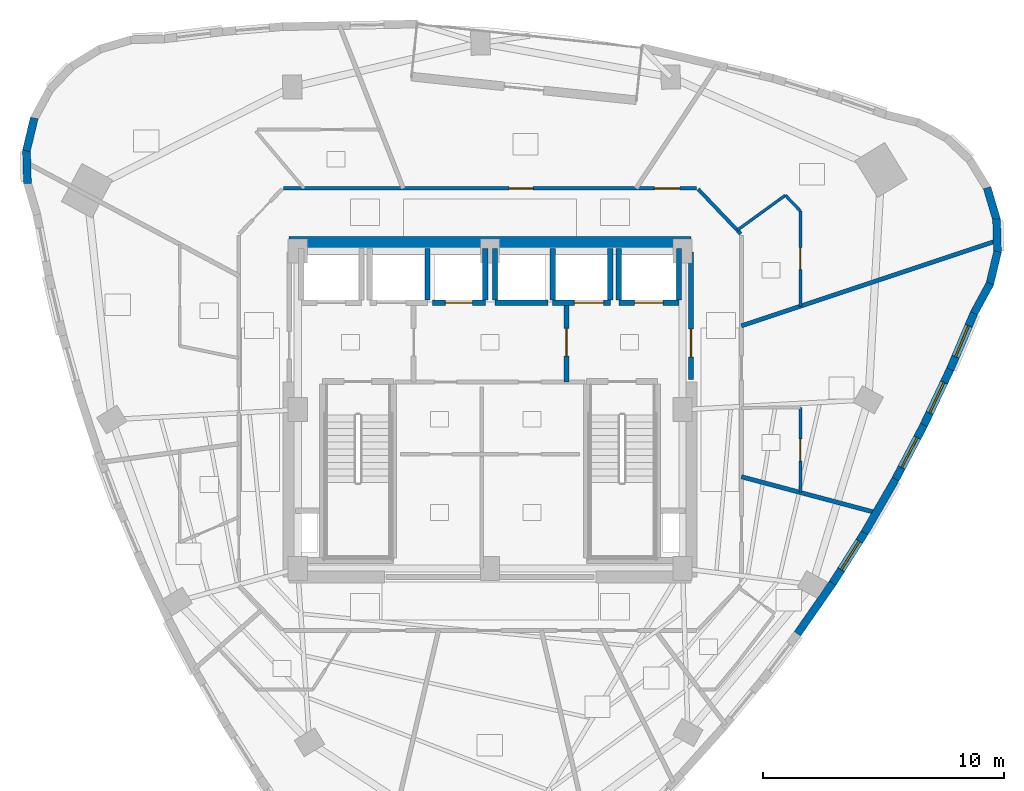
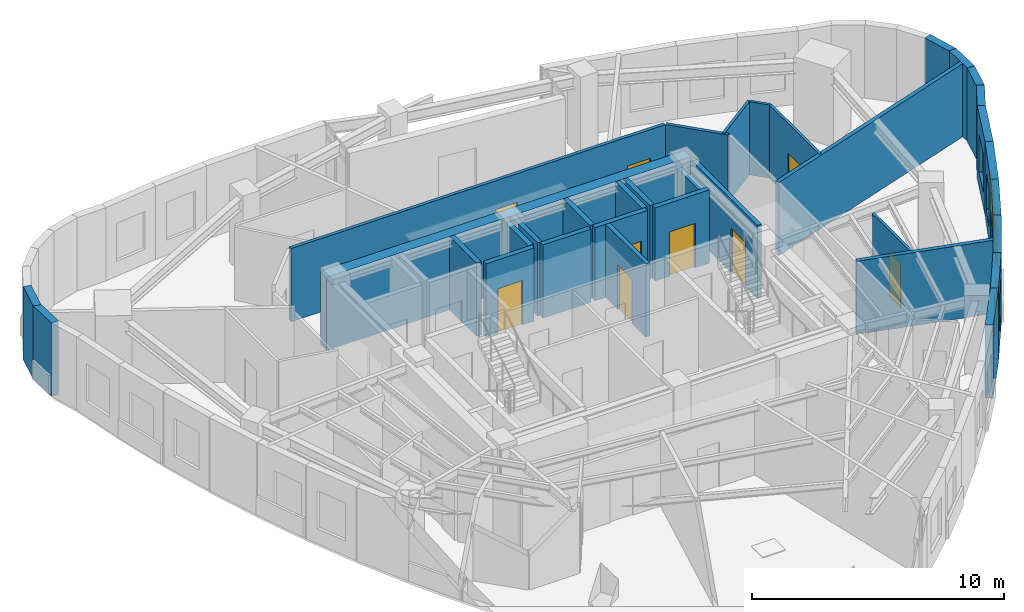
# One storey, part 7 of 11: 34 walls, 9 doors, 4 windows, 13 openings.
"""IFC4 building model written with IfcOpenShell, lengths in metres."""

import ifcopenshell
import ifcopenshell.guid

model = None  # the IFC model being written
_history = None  # IfcOwnerHistory: only IFC2X3 demands one
_inside = {}  # id of a spatial element -> (the spatial element, [elements in it])
_under = {}  # id of a project, library or spatial element -> (it, [spatial elements below it])
_declared = {}  # id of a project -> (the project, [libraries it declares])
_typed = {}  # id of a type object -> (the type object, [elements of that type])
_made_of = {}  # id of a material, layer set ... -> (it, [elements and type objects made of it])


def new_model(schema):
    """Start an empty IFC model of exactly this schema.

    Asked for "IFC4X3", IfcOpenShell would pick the latest addendum, in which some entities
    have other attributes; the version numbers below select the first issue.
    IFC2X3 requires an IfcOwnerHistory on every rooted entity: one is made here for all.
    """
    global model, _history
    if schema == "IFC4X3":
        model = ifcopenshell.file(schema_version=(4, 3, 0, 0))
    else:
        model = ifcopenshell.file(schema=schema)
    _inside.clear()
    _under.clear()
    _declared.clear()
    _typed.clear()
    _made_of.clear()
    _history = None
    if model.schema == "IFC2X3":
        org = make("IfcOrganization", Name="unknown")
        user = make(
            "IfcPersonAndOrganization",
            ThePerson=make("IfcPerson", FamilyName="unknown"),
            TheOrganization=org,
        )
        app = make(
            "IfcApplication",
            ApplicationDeveloper=org,
            Version="unknown",
            ApplicationFullName="unknown",
            ApplicationIdentifier="unknown",
        )
        _history = make(
            "IfcOwnerHistory",
            OwningUser=user,
            OwningApplication=app,
            ChangeAction="ADDED",
            CreationDate=0,
        )
    return model


def make(cls, **values):
    """One entity of the class cls with the attributes given. An attribute that is None is left unset."""
    return model.create_entity(
        cls, **{name: value for name, value in values.items() if value is not None}
    )


def rooted(cls, **values):
    """An entity with a GlobalId (a new one), such as an element, a storey or a relation."""
    return make(cls, GlobalId=ifcopenshell.guid.new(), OwnerHistory=_history, **values)


def si_unit(unit_type, name, prefix=None):
    """IfcSIUnit, for example si_unit("LENGTHUNIT", "METRE", prefix="MILLI")."""
    return make("IfcSIUnit", UnitType=unit_type, Prefix=prefix, Name=name)


def assignment(units):
    """IfcUnitAssignment: the units of a project."""
    return None if units is None else make("IfcUnitAssignment", Units=units)


def point(xyz):
    """IfcCartesianPoint."""
    return None if xyz is None else make("IfcCartesianPoint", Coordinates=xyz)


def direction(xyz):
    """IfcDirection."""
    return None if xyz is None else make("IfcDirection", DirectionRatios=xyz)


def frame(location, z_axis=None, x_axis=None):
    """IfcAxis2Placement3D, a coordinate frame: its origin and axes. An axis left out is left unset."""
    return make(
        "IfcAxis2Placement3D",
        Location=point(location),
        Axis=direction(z_axis),
        RefDirection=direction(x_axis),
    )


def frame_2d(location, x_axis=None):
    """IfcAxis2Placement2D, a coordinate frame in the plane: its origin and x axis."""
    return make(
        "IfcAxis2Placement2D", Location=point(location), RefDirection=direction(x_axis)
    )


def origin():
    """The frame at (0, 0, 0) with its axes left unset."""
    return frame((0.0, 0.0, 0.0))


def place(relative_to, where):
    """IfcLocalPlacement: puts the frame where relative to a parent placement (None: the world)."""
    return make(
        "IfcLocalPlacement", PlacementRelTo=relative_to, RelativePlacement=where
    )


def context(
    kind, dimensions, precision=None, world=None, true_north=None, identifier=None
):
    """IfcGeometricRepresentationContext, for example the 3D "Model" context."""
    return make(
        "IfcGeometricRepresentationContext",
        ContextIdentifier=identifier,
        ContextType=kind,
        CoordinateSpaceDimension=dimensions,
        Precision=precision,
        WorldCoordinateSystem=world,
        TrueNorth=true_north,
    )


def subcontext(parent, identifier, kind, view, scale=None):
    """IfcGeometricRepresentationSubContext, for example "Body" below "Model"."""
    return make(
        "IfcGeometricRepresentationSubContext",
        ContextIdentifier=identifier,
        ContextType=kind,
        ParentContext=parent,
        TargetScale=scale,
        TargetView=view,
    )


def project(units=None, contexts=None):
    """IfcProject with its units and contexts."""
    return rooted(
        "IfcProject",
        Name="project",
        RepresentationContexts=contexts,
        UnitsInContext=assignment(units),
    )


def spatial(cls, under=None, at=None, **own):
    """A site, building, storey or space (cls), placed at a placement, below another one or the project."""
    s = rooted(cls, ObjectPlacement=at, **own)
    if under is not None:
        _under.setdefault(under.id(), (under, []))[1].append(s)
    return s


def profile(cls, at=None, kind="AREA", **sizes):
    """A parametric profile (cls). Its sizes go by their IFC names, for example OverallWidth=200.0."""
    return make(cls, ProfileType=kind, Position=at, **sizes)


def rectangle(**sizes):
    """IfcRectangleProfileDef."""
    return profile("IfcRectangleProfileDef", **sizes)


def extrude(swept, where, along, depth):
    """IfcExtrudedAreaSolid: the profile swept, set in the frame where, extruded along a direction by depth."""
    return make(
        "IfcExtrudedAreaSolid",
        SweptArea=swept,
        Position=where,
        ExtrudedDirection=direction(along),
        Depth=depth,
    )


def shape(context_of_items, identifier, shape_type, items):
    """IfcShapeRepresentation: the items that make up one representation, for example the "Body"."""
    return make(
        "IfcShapeRepresentation",
        ContextOfItems=context_of_items,
        RepresentationIdentifier=identifier,
        RepresentationType=shape_type,
        Items=items,
    )


def material(Name=None, Category=None):
    """IfcMaterial."""
    return make("IfcMaterial", Name=Name, Category=Category)


def layer(
    of_material, thickness, ventilated=None, Name=None, Category=None, Priority=None
):
    """IfcMaterialLayer: one layer of a wall or slab, of a material (None: an air gap)."""
    return make(
        "IfcMaterialLayer",
        Material=of_material,
        LayerThickness=thickness,
        IsVentilated=ventilated,
        Name=Name,
        Category=Category,
        Priority=Priority,
    )


def layer_set(layers, Name=None):
    """IfcMaterialLayerSet."""
    return make("IfcMaterialLayerSet", MaterialLayers=layers, LayerSetName=Name)


def made_of(thing, what):
    """Note that an element or type object is made of a material, layer set ...; save() writes the relation."""
    if what is not None:
        _made_of.setdefault(what.id(), (what, []))[1].append(thing)
    return thing


def type_object(cls, material=None, **own):
    """A type object (cls), such as IfcWallType, which elements share."""
    return made_of(rooted(cls, **own), material)


def element(
    cls,
    number,
    at=None,
    inside=None,
    cuts=None,
    type_object=None,
    material=None,
    context=None,
    identifier="Body",
    shape_type=None,
    held_by="IfcProductDefinitionShape",
    body=None,
    shapes=None,
    **own,
):
    """One element of the class cls, such as IfcWall. Its Tag is "e" and its number.

    at: its placement. inside: the storey or other place that contains it. cuts: it is an
    opening in that element (IfcRelVoidsElement). A single representation is given by context,
    identifier, shape_type and body (its items); several are given by shapes. held_by: the class
    of the entity that holds the representations. save() writes the other relations.
    """
    e = rooted(cls, Tag="e%d" % number, ObjectPlacement=at, **own)
    if body is not None:
        shapes = [shape(context, identifier, shape_type, body)]
    if shapes is not None:
        e.Representation = make(held_by, Representations=shapes)
    if inside is not None:
        _inside.setdefault(inside.id(), (inside, []))[1].append(e)
    if cuts is not None:
        rooted(
            "IfcRelVoidsElement", RelatingBuildingElement=cuts, RelatedOpeningElement=e
        )
    if type_object is not None:
        _typed.setdefault(type_object.id(), (type_object, []))[1].append(e)
    return made_of(e, material)


def fill(opening, filler):
    """IfcRelFillsElement: the door or window that sits in an opening."""
    return rooted(
        "IfcRelFillsElement",
        RelatingOpeningElement=opening,
        RelatedBuildingElement=filler,
    )


def aggregate(whole, parts):
    """IfcRelAggregates: a whole, such as a stair, and the parts it consists of."""
    return rooted("IfcRelAggregates", RelatingObject=whole, RelatedObjects=parts)


def save(model, path):
    """Write the relations noted so far, then the file.

    IfcRelAggregates (storeys below a building ...), IfcRelContainedInSpatialStructure (elements
    in a storey), IfcRelDefinesByType, IfcRelAssociatesMaterial and IfcRelDeclares: one each for
    every whole, place, type object, material and project.
    """
    for whole, parts in _under.values():
        aggregate(whole, parts)
    for where, things in _inside.values():
        rooted(
            "IfcRelContainedInSpatialStructure",
            RelatedElements=things,
            RelatingStructure=where,
        )
    for kind, things in _typed.values():
        rooted("IfcRelDefinesByType", RelatedObjects=things, RelatingType=kind)
    for what, things in _made_of.values():
        rooted("IfcRelAssociatesMaterial", RelatedObjects=things, RelatingMaterial=what)
    for by, libraries in _declared.values():
        rooted("IfcRelDeclares", RelatingContext=by, RelatedDefinitions=libraries)
    model.write(path)


model = new_model("IFC4")

# Units and contexts
model_context = context("Model", 3, precision=1e-05, world=origin(), true_north=direction((0.0, 1.0)))
body_context = subcontext(model_context, "Body", "Model", "MODEL_VIEW")
ifc_project = project(units=[si_unit("LENGTHUNIT", "METRE"), si_unit("AREAUNIT", "SQUARE_METRE"), si_unit("VOLUMEUNIT", "CUBIC_METRE"), si_unit("PLANEANGLEUNIT", "RADIAN"), si_unit("MASSUNIT", "GRAM", prefix="KILO")], contexts=[model_context])

# Site, building, storey
site_placement = place(None, origin())
site = spatial("IfcSite", under=ifc_project, at=site_placement, CompositionType="ELEMENT")
building_placement = place(site_placement, origin())
building = spatial("IfcBuilding", under=site, at=building_placement, Name="Ndelora Gate Hotel", CompositionType="ELEMENT")
storey_placement = place(building_placement, frame((0.0, 0.0, 186.550048828125)))
storey = spatial("IfcBuildingStorey", under=building, at=storey_placement, Name="L46", CompositionType="ELEMENT", Elevation=186.550048828125)

# Walls
ifc_material_1 = material(Name="Acoustic Double-Stud Gypsum Assembly", Category="gypsum")
ifc_layer_1 = layer(ifc_material_1, 0.179931640625)
ifc_layer_set_1 = layer_set([ifc_layer_1], Name="Acoustic Double-Stud Gypsum Assembly")
wall_type_1 = type_object("IfcWallType", Name="WL-ACOUST-180", PredefinedType="PARTITIONING", material=ifc_layer_set_1)
wall_1_placement = place(storey_placement, frame((10.449951171875, -2.788330078125, 0.0), z_axis=(0.0, 0.0, 1.0), x_axis=(0.966187404049, -0.257840842879, 0.0)))
element("IfcWall", 1, at=wall_1_placement, inside=storey, type_object=wall_type_1, Name="L46 Interior Wall IW-3", PredefinedType="PARTITIONING", context=body_context, shape_type="SweptSolid", body=[
    extrude(rectangle(XDim=5.798583984375, YDim=0.179931640625, at=frame_2d((2.8994140625, 0.0))), origin(), (0.0, 0.0, 1.0), 3.550048828125),
])
wall_2_placement = place(storey_placement, frame((10.449951171875, 3.48388671875, 0.0), z_axis=(0.0, 0.0, 1.0), x_axis=(0.94867676156, 0.316247374812, 0.0)))
element("IfcWall", 2, at=wall_2_placement, inside=storey, type_object=wall_type_1, Name="L46 Interior Wall IW-3", PredefinedType="PARTITIONING", context=body_context, shape_type="SweptSolid", body=[
    extrude(rectangle(XDim=11.20556640625, YDim=0.179931640625, at=frame_2d((5.602783203125, 0.0))), origin(), (0.0, 0.0, 1.0), 3.550048828125),
])
ifc_material_2 = material(Name="Clay Brick Masonry", Category="masonry")
ifc_layer_2 = layer(ifc_material_2, 0.330078125)
ifc_layer_set_2 = layer_set([ifc_layer_2], Name="Clay Brick Masonry")
wall_type_2 = type_object("IfcWallType", Name="WL-BRICK-330", PredefinedType="SOLIDWALL", material=ifc_layer_set_2)
for number, where, z_axis, x_axis, name in (
    (3, (-19.277099609375, 10.76318359375, 0.0), (0.0, 0.0, 1.0), (0.233464793771, 0.972365255482, 0.0), "L46 Tower Brick Pier-and-Spandrel Wall TWR-6"),
    (4, (-19.235107421875, 9.405517578125, 0.0), (0.0, 0.0, 1.0), (-0.02619264168, 0.999656913907, 0.0), "L46 Tower Brick Pier-and-Spandrel Wall TWR-7"),
):
    element("IfcWall", number, at=place(storey_placement, frame(where, z_axis=z_axis, x_axis=x_axis)), inside=storey, type_object=wall_type_2, Name=name, PredefinedType="SOLIDWALL", context=body_context, shape_type="SweptSolid", body=[
        extrude(rectangle(XDim=1.407470703125, YDim=0.330078125, at=frame_2d((0.70361328125, 0.0))), origin(), (0.0, 0.0, 1.0), 3.550048828125),
    ])
wall_3_placement = place(storey_placement, frame((14.244140625, -7.208740234375, 0.0), z_axis=(0.0, 0.0, 1.0), x_axis=(-0.5707327312, -0.821135889812, 0.0)))
element("IfcWall", 5, at=wall_3_placement, inside=storey, type_object=wall_type_2, Name="L46 Tower Brick Pier-and-Spandrel Wall TWR-35", PredefinedType="SOLIDWALL", context=body_context, shape_type="SweptSolid", body=[
    extrude(rectangle(XDim=2.566162109375, YDim=0.330078125, at=frame_2d((1.283203125, 0.0))), origin(), (0.0, 0.0, 1.0), 3.550048828125),
])

# Wall, opening, window
wall_4_placement = place(storey_placement, frame((15.59375, -5.079833984375, 0.0), z_axis=(0.0, 0.0, 1.0), x_axis=(-0.535842668183, -0.844317851851, 0.0)))
wall_4 = element("IfcWall", 6, at=wall_4_placement, inside=storey, type_object=wall_type_2, Name="L46 Tower Brick Pier-and-Spandrel Wall TWR-36", PredefinedType="SOLIDWALL", context=body_context, shape_type="SweptSolid", body=[
    extrude(rectangle(XDim=2.570556640625, YDim=0.330078125, at=frame_2d((1.28515625, 0.0))), origin(), (0.0, 0.0, 1.0), 3.550048828125),
])
opening_1_placement = place(wall_4_placement, frame((0.4599609375, 0.0, 0.719970703125)))
opening_1 = element("IfcOpeningElement", 7, at=opening_1_placement, cuts=wall_4, Name="Opening W02", PredefinedType="OPENING", context=body_context, shape_type="SweptSolid", body=[
    extrude(rectangle(XDim=1.39990234375, YDim=1.840087890625, at=frame_2d((0.699951171875, 0.919921875))), frame((0.0, 0.175048828125, 0.0), z_axis=(0.0, -1.0, 0.0), x_axis=(1.0, 0.0, 0.0)), (0.0, 0.0, 1.0), 0.35009765625),
])
ifc_material_3 = material(Name="Insulated Low-E Double Glazing in Bronze Aluminium Frame", Category="aluminium")
window_type = type_object("IfcWindowType", Name="WN-DEEP-1400", PartitioningType="SINGLE_PANEL", PredefinedType="WINDOW", material=ifc_material_3)
window_1_placement = place(opening_1_placement, origin())
window_1 = element("IfcWindow", 8, at=window_1_placement, inside=storey, type_object=window_type, Name="L46 Deep-Set Brick-Pier Window W02", OverallHeight=1.840087890625, OverallWidth=1.39990234375, PartitioningType="SINGLE_PANEL", PredefinedType="WINDOW", context=body_context, shape_type="SweptSolid", body=[
    extrude(rectangle(XDim=1.39990234375, YDim=1.840087890625, at=frame_2d((0.699951171875, 0.919921875))), frame((0.0, 0.030029296875, 0.0), z_axis=(0.0, -1.0, 0.0), x_axis=(1.0, 0.0, 0.0)), (0.0, 0.0, 1.0), 0.06005859375),
])
fill(opening_1, window_1)

# Wall
wall_5_placement = place(storey_placement, frame((16.85791015625, -2.88916015625, 0.0), z_axis=(0.0, 0.0, 1.0), x_axis=(-0.500170355229, -0.865927026804, 0.0)))
element("IfcWall", 9, at=wall_5_placement, inside=storey, type_object=wall_type_2, Name="L46 Tower Brick Pier-and-Spandrel Wall TWR-37", PredefinedType="SOLIDWALL", context=body_context, shape_type="SweptSolid", body=[
    extrude(rectangle(XDim=2.5791015625, YDim=0.330078125, at=frame_2d((1.28955078125, 0.0))), origin(), (0.0, 0.0, 1.0), 3.550048828125),
])

# Wall, opening, window
wall_6_placement = place(storey_placement, frame((18.036865234375, -0.636474609375, 0.0), z_axis=(0.0, 0.0, 1.0), x_axis=(-0.464084409115, -0.885790980546, 0.0)))
wall_6 = element("IfcWall", 10, at=wall_6_placement, inside=storey, type_object=wall_type_2, Name="L46 Tower Brick Pier-and-Spandrel Wall TWR-38", PredefinedType="SOLIDWALL", context=body_context, shape_type="SweptSolid", body=[
    extrude(rectangle(XDim=2.592529296875, YDim=0.330078125, at=frame_2d((1.29638671875, 0.0))), origin(), (0.0, 0.0, 1.0), 3.550048828125),
])
opening_2_placement = place(wall_6_placement, frame((0.59619140625, 0.0, 0.719970703125)))
opening_2 = element("IfcOpeningElement", 11, at=opening_2_placement, cuts=wall_6, Name="Opening W02", PredefinedType="OPENING", context=body_context, shape_type="SweptSolid", body=[
    extrude(rectangle(XDim=1.39990234375, YDim=1.840087890625, at=frame_2d((0.699951171875, 0.919921875))), frame((0.0, 0.175048828125, 0.0), z_axis=(0.0, -1.0, 0.0), x_axis=(1.0, 0.0, 0.0)), (0.0, 0.0, 1.0), 0.35009765625),
])
window_2_placement = place(opening_2_placement, origin())
window_2 = element("IfcWindow", 12, at=window_2_placement, inside=storey, type_object=window_type, Name="L46 Deep-Set Brick-Pier Window W02", OverallHeight=1.840087890625, OverallWidth=1.39990234375, PartitioningType="SINGLE_PANEL", PredefinedType="WINDOW", context=body_context, shape_type="SweptSolid", body=[
    extrude(rectangle(XDim=1.39990234375, YDim=1.840087890625, at=frame_2d((0.699951171875, 0.919921875))), frame((0.0, 0.030029296875, 0.0), z_axis=(0.0, -1.0, 0.0), x_axis=(1.0, 0.0, 0.0)), (0.0, 0.0, 1.0), 0.06005859375),
])
fill(opening_2, window_2)

wall_7_placement = place(storey_placement, frame((19.130126953125, 1.678466796875, 0.0), z_axis=(0.0, 0.0, 1.0), x_axis=(-0.427463017216, -0.904032836191, 0.0)))
wall_7 = element("IfcWall", 13, at=wall_7_placement, inside=storey, type_object=wall_type_2, Name="L46 Tower Brick Pier-and-Spandrel Wall TWR-39", PredefinedType="SOLIDWALL", context=body_context, shape_type="SweptSolid", body=[
    extrude(rectangle(XDim=2.610107421875, YDim=0.330078125, at=frame_2d((1.30517578125, 0.0))), origin(), (0.0, 0.0, 1.0), 3.550048828125),
])
opening_3_placement = place(wall_7_placement, frame((0.60498046875, 0.0, 0.719970703125)))
opening_3 = element("IfcOpeningElement", 14, at=opening_3_placement, cuts=wall_7, Name="Opening W02", PredefinedType="OPENING", context=body_context, shape_type="SweptSolid", body=[
    extrude(rectangle(XDim=1.39990234375, YDim=1.840087890625, at=frame_2d((0.699951171875, 0.919921875))), frame((0.0, 0.175048828125, 0.0), z_axis=(0.0, -1.0, 0.0), x_axis=(1.0, 0.0, 0.0)), (0.0, 0.0, 1.0), 0.35009765625),
])
window_3_placement = place(opening_3_placement, origin())
window_3 = element("IfcWindow", 15, at=window_3_placement, inside=storey, type_object=window_type, Name="L46 Deep-Set Brick-Pier Window W02", OverallHeight=1.840087890625, OverallWidth=1.39990234375, PartitioningType="SINGLE_PANEL", PredefinedType="WINDOW", context=body_context, shape_type="SweptSolid", body=[
    extrude(rectangle(XDim=1.39990234375, YDim=1.840087890625, at=frame_2d((0.699951171875, 0.919921875))), frame((0.0, 0.030029296875, 0.0), z_axis=(0.0, -1.0, 0.0), x_axis=(1.0, 0.0, 0.0)), (0.0, 0.0, 1.0), 0.06005859375),
])
fill(opening_3, window_3)

wall_8_placement = place(storey_placement, frame((20.13818359375, 4.05517578125, 0.0), z_axis=(0.0, 0.0, 1.0), x_axis=(-0.390838099147, -0.920459439766, 0.0)))
wall_8 = element("IfcWall", 16, at=wall_8_placement, inside=storey, type_object=wall_type_2, Name="L46 Tower Brick Pier-and-Spandrel Wall TWR-40", PredefinedType="SOLIDWALL", context=body_context, shape_type="SweptSolid", body=[
    extrude(rectangle(XDim=2.631591796875, YDim=0.330078125, at=frame_2d((1.31591796875, 0.0))), origin(), (0.0, 0.0, 1.0), 3.550048828125),
])
opening_4_placement = place(wall_8_placement, frame((0.61572265625, 0.0, 0.719970703125)))
opening_4 = element("IfcOpeningElement", 17, at=opening_4_placement, cuts=wall_8, Name="Opening W02", PredefinedType="OPENING", context=body_context, shape_type="SweptSolid", body=[
    extrude(rectangle(XDim=1.39990234375, YDim=1.840087890625, at=frame_2d((0.699951171875, 0.919921875))), frame((0.0, 0.175048828125, 0.0), z_axis=(0.0, -1.0, 0.0), x_axis=(1.0, 0.0, 0.0)), (0.0, 0.0, 1.0), 0.35009765625),
])
window_4_placement = place(opening_4_placement, origin())
window_4 = element("IfcWindow", 18, at=window_4_placement, inside=storey, type_object=window_type, Name="L46 Deep-Set Brick-Pier Window W02", OverallHeight=1.840087890625, OverallWidth=1.39990234375, PartitioningType="SINGLE_PANEL", PredefinedType="WINDOW", context=body_context, shape_type="SweptSolid", body=[
    extrude(rectangle(XDim=1.39990234375, YDim=1.840087890625, at=frame_2d((0.699951171875, 0.919921875))), frame((0.0, 0.030029296875, 0.0), z_axis=(0.0, -1.0, 0.0), x_axis=(1.0, 0.0, 0.0)), (0.0, 0.0, 1.0), 0.06005859375),
])
fill(opening_4, window_4)

# Walls
wall_9_placement = place(storey_placement, frame((20.7880859375, 5.247314453125, 0.0), z_axis=(0.0, 0.0, 1.0), x_axis=(-0.477137792558, -0.878828496871, 0.0)))
element("IfcWall", 19, at=wall_9_placement, inside=storey, type_object=wall_type_2, Name="L46 Tower Brick Pier-and-Spandrel Wall TWR-41", PredefinedType="SOLIDWALL", context=body_context, shape_type="SweptSolid", body=[
    extrude(rectangle(XDim=1.40771484375, YDim=0.330078125, at=frame_2d((0.703857421875, 0.0))), origin(), (0.0, 0.0, 1.0), 3.550048828125),
])
for number, where, z_axis, x_axis, name in (
    (20, (21.098876953125, 6.569580078125, 0.0), (0.0, 0.0, 1.0), (-0.233464793771, -0.972365255482, 0.0), "L46 Tower Brick Pier-and-Spandrel Wall TWR-42"),
    (21, (21.056884765625, 7.92724609375, 0.0), (0.0, 0.0, 1.0), (0.02619264168, -0.999656913907, 0.0), "L46 Tower Brick Pier-and-Spandrel Wall TWR-43"),
):
    element("IfcWall", number, at=place(storey_placement, frame(where, z_axis=z_axis, x_axis=x_axis)), inside=storey, type_object=wall_type_2, Name=name, PredefinedType="SOLIDWALL", context=body_context, shape_type="SweptSolid", body=[
        extrude(rectangle(XDim=1.407470703125, YDim=0.330078125, at=frame_2d((0.70361328125, 0.0))), origin(), (0.0, 0.0, 1.0), 3.550048828125),
    ])
wall_10_placement = place(storey_placement, frame((20.664794921875, 9.227783203125, 0.0), z_axis=(0.0, 0.0, 1.0), x_axis=(0.284100140437, -0.958794613149, 0.0)))
element("IfcWall", 22, at=wall_10_placement, inside=storey, type_object=wall_type_2, Name="L46 Tower Brick Pier-and-Spandrel Wall TWR-44", PredefinedType="SOLIDWALL", context=body_context, shape_type="SweptSolid", body=[
    extrude(rectangle(XDim=1.40771484375, YDim=0.330078125, at=frame_2d((0.703857421875, 0.0))), origin(), (0.0, 0.0, 1.0), 3.550048828125),
])
ifc_material_4 = material(Name="Concrete C50/60", Category="concrete")
ifc_layer_3 = layer(ifc_material_4, 0.5)
ifc_layer_set_3 = layer_set([ifc_layer_3], Name="Concrete C50/60")
wall_type_3 = type_object("IfcWallType", Name="WL-CORE-500", PredefinedType="SHEAR", material=ifc_layer_set_3)
wall_11_placement = place(storey_placement, frame((-8.35009765625, 6.949951171875, 0.0), z_axis=(0.0, 0.0, 1.0), x_axis=(1.0, 0.0, 0.0)))
element("IfcWall", 23, at=wall_11_placement, inside=storey, type_object=wall_type_3, Name="L46 Core Shear Wall N", PredefinedType="SHEAR", context=body_context, shape_type="SweptSolid", body=[
    extrude(rectangle(XDim=16.7001953125, YDim=0.5, at=frame_2d((8.35009765625, 0.0))), origin(), (0.0, 0.0, 1.0), 3.550048828125),
])

# Wall, opening, door
ifc_material_5 = material(Name="Concrete C40/50", Category="concrete")
ifc_layer_4 = layer(ifc_material_5, 0.199951171875)
ifc_layer_set_4 = layer_set([ifc_layer_4], Name="Concrete C40/50")
wall_type_4 = type_object("IfcWallType", Name="WL-FIRE-200", PredefinedType="PARTITIONING", material=ifc_layer_set_4)
wall_12_placement = place(storey_placement, frame((3.179931640625, 1.14990234375, 0.0), z_axis=(0.0, 0.0, 1.0), x_axis=(0.0, 1.0, 0.0)))
wall_12 = element("IfcWall", 24, at=wall_12_placement, inside=storey, type_object=wall_type_4, Name="L46 Interior Wall IW-2", PredefinedType="PARTITIONING", context=body_context, shape_type="SweptSolid", body=[
    extrude(rectangle(XDim=3.300048828125, YDim=0.199951171875, at=frame_2d((1.64990234375, 0.0))), origin(), (0.0, 0.0, 1.0), 3.550048828125),
])
opening_5_placement = place(wall_12_placement, frame((1.080078125, 0.0, 0.0)))
opening_5 = element("IfcOpeningElement", 25, at=opening_5_placement, cuts=wall_12, Name="Opening FD1", PredefinedType="OPENING", context=body_context, shape_type="SweptSolid", body=[
    extrude(rectangle(XDim=1.14990234375, YDim=2.14990234375, at=frame_2d((0.574951171875, 1.074951171875))), frame((0.0, 0.10986328125, 0.0), z_axis=(0.0, -1.0, 0.0), x_axis=(1.0, 0.0, 0.0)), (0.0, 0.0, 1.0), 0.219970703125),
])
ifc_material_6 = material(Name="Fire-Rated Timber-Veneer Steel Core", Category="steel")
door_type_1 = type_object("IfcDoorType", Name="DR-FD60", OperationType="SINGLE_SWING_LEFT", PredefinedType="DOOR", material=ifc_material_6)
door_1_placement = place(opening_5_placement, origin())
door_1 = element("IfcDoor", 26, at=door_1_placement, inside=storey, type_object=door_type_1, Name="L46 Firefighting Lobby East Door", OperationType="SINGLE_SWING_LEFT", OverallHeight=2.14990234375, OverallWidth=1.14990234375, PredefinedType="DOOR", context=body_context, shape_type="SweptSolid", body=[
    extrude(rectangle(XDim=1.14990234375, YDim=2.14990234375, at=frame_2d((0.574951171875, 1.074951171875))), frame((0.0, 0.02490234375, 0.0), z_axis=(0.0, -1.0, 0.0), x_axis=(1.0, 0.0, 0.0)), (0.0, 0.0, 1.0), 0.050048828125),
])
fill(opening_5, door_1)

wall_13_placement = place(storey_placement, frame((8.35009765625, 1.25, 0.0), z_axis=(0.0, 0.0, 1.0), x_axis=(0.0, 1.0, 0.0)))
wall_13 = element("IfcWall", 27, at=wall_13_placement, inside=storey, type_object=wall_type_4, Name="L46 Interior Wall IW-2", PredefinedType="PARTITIONING", context=body_context, shape_type="SweptSolid", body=[
    extrude(rectangle(XDim=5.300048828125, YDim=0.199951171875, at=frame_2d((2.64990234375, 0.0))), origin(), (0.0, 0.0, 1.0), 3.550048828125),
])
opening_6_placement = place(wall_13_placement, frame((0.949951171875, 0.0, 0.0)))
opening_6 = element("IfcOpeningElement", 28, at=opening_6_placement, cuts=wall_13, Name="Opening FD1", PredefinedType="OPENING", context=body_context, shape_type="SweptSolid", body=[
    extrude(rectangle(XDim=1.14990234375, YDim=2.14990234375, at=frame_2d((0.574951171875, 1.074951171875))), frame((0.0, 0.10986328125, 0.0), z_axis=(0.0, -1.0, 0.0), x_axis=(1.0, 0.0, 0.0)), (0.0, 0.0, 1.0), 0.219970703125),
])
door_2_placement = place(opening_6_placement, origin())
door_2 = element("IfcDoor", 29, at=door_2_placement, inside=storey, type_object=door_type_1, Name="L46 Firefighting Lobby East Corridor Door", OperationType="SINGLE_SWING_RIGHT", OverallHeight=2.14990234375, OverallWidth=1.14990234375, PredefinedType="DOOR", context=body_context, shape_type="SweptSolid", body=[
    extrude(rectangle(XDim=1.14990234375, YDim=2.14990234375, at=frame_2d((0.574951171875, 1.074951171875))), frame((0.0, 0.02490234375, 0.0), z_axis=(0.0, -1.0, 0.0), x_axis=(1.0, 0.0, 0.0)), (0.0, 0.0, 1.0), 0.050048828125),
])
fill(opening_6, door_2)

# Wall
ifc_material_7 = material(Name="Fire-Rated Gypsum Stud Partition", Category="gypsum")
ifc_layer_5 = layer(ifc_material_7, 0.14990234375)
ifc_layer_set_5 = layer_set([ifc_layer_5], Name="Fire-Rated Gypsum Stud Partition")
wall_type_5 = type_object("IfcWallType", Name="WL-PART-150", PredefinedType="PARTITIONING", material=ifc_layer_set_5)
wall_14_placement = place(storey_placement, frame((8.647705078125, 9.1708984375, 0.0), z_axis=(0.0, 0.0, 1.0), x_axis=(0.689960858356, -0.723846678473, 0.0)))
element("IfcWall", 30, at=wall_14_placement, inside=storey, type_object=wall_type_5, Name="L46 Interior Wall IW-5", PredefinedType="PARTITIONING", context=body_context, shape_type="SweptSolid", body=[
    extrude(rectangle(XDim=2.572021484375, YDim=0.14990234375, at=frame_2d((1.2861328125, 0.0))), origin(), (0.0, 0.0, 1.0), 3.550048828125),
])

# Wall, openings, doors
wall_15_placement = place(storey_placement, frame((-8.580078125, 9.199951171875, 0.0), z_axis=(0.0, 0.0, 1.0), x_axis=(1.0, 0.0, 0.0)))
wall_15 = element("IfcWall", 31, at=wall_15_placement, inside=storey, type_object=wall_type_5, Name="L46 Interior Wall IW-5", PredefinedType="PARTITIONING", context=body_context, shape_type="SweptSolid", body=[
    extrude(rectangle(XDim=17.16015625, YDim=0.14990234375, at=frame_2d((8.580078125, 0.0))), origin(), (0.0, 0.0, 1.0), 3.550048828125),
])
opening_7_placement = place(wall_15_placement, frame((9.37060546875, 0.0, 0.0)))
opening_7 = element("IfcOpeningElement", 32, at=opening_7_placement, cuts=wall_15, Name="Opening D01", PredefinedType="OPENING", context=body_context, shape_type="SweptSolid", body=[
    extrude(rectangle(XDim=1.0, YDim=2.14990234375, at=frame_2d((0.5, 1.074951171875))), frame((0.0, 0.0849609375, 0.0), z_axis=(0.0, -1.0, 0.0), x_axis=(1.0, 0.0, 0.0)), (0.0, 0.0, 1.0), 0.169921875),
])
opening_8_placement = place(wall_15_placement, frame((15.41455078125, 0.0, 0.0)))
opening_8 = element("IfcOpeningElement", 33, at=opening_8_placement, cuts=wall_15, Name="Opening D07", PredefinedType="OPENING", context=body_context, shape_type="SweptSolid", body=[
    extrude(rectangle(XDim=1.06005859375, YDim=2.14990234375, at=frame_2d((0.530029296875, 1.074951171875))), frame((0.0, 0.0849609375, 0.0), z_axis=(0.0, -1.0, 0.0), x_axis=(1.0, 0.0, 0.0)), (0.0, 0.0, 1.0), 0.169921875),
])
ifc_material_8 = material(Name="Acoustic Hardwood Guest Entrance Door", Category="wood")
door_type_2 = type_object("IfcDoorType", Name="DR-COR-1000", OperationType="SINGLE_SWING_LEFT", PredefinedType="DOOR", material=ifc_material_8)
door_3_placement = place(opening_7_placement, origin())
door_3 = element("IfcDoor", 34, at=door_3_placement, inside=storey, type_object=door_type_2, Name="L46 Sky Garden Tea Dining Room Entrance Door", OperationType="SINGLE_SWING_RIGHT", OverallHeight=2.14990234375, OverallWidth=1.0, PredefinedType="DOOR", context=body_context, shape_type="SweptSolid", body=[
    extrude(rectangle(XDim=1.0, YDim=2.14990234375, at=frame_2d((0.5, 1.074951171875))), frame((0.0, 0.02490234375, 0.0), z_axis=(0.0, -1.0, 0.0), x_axis=(1.0, 0.0, 0.0)), (0.0, 0.0, 1.0), 0.050048828125),
])
fill(opening_7, door_3)
ifc_material_9 = material(Name="Diplomatic Suite Acoustic Entrance Door", Category="wood")
door_type_3 = type_object("IfcDoorType", Name="DR-SUITE-1060", OperationType="SINGLE_SWING_LEFT", PredefinedType="DOOR", material=ifc_material_9)
door_4_placement = place(opening_8_placement, origin())
door_4 = element("IfcDoor", 35, at=door_4_placement, inside=storey, type_object=door_type_3, Name="L46 Corner Sky Suite 4903 Entrance Door", OperationType="SINGLE_SWING_RIGHT", OverallHeight=2.14990234375, OverallWidth=1.06005859375, PredefinedType="DOOR", context=body_context, shape_type="SweptSolid", body=[
    extrude(rectangle(XDim=1.06005859375, YDim=2.14990234375, at=frame_2d((0.530029296875, 1.074951171875))), frame((0.0, 0.02490234375, 0.0), z_axis=(0.0, -1.0, 0.0), x_axis=(1.0, 0.0, 0.0)), (0.0, 0.0, 1.0), 0.050048828125),
])
fill(opening_8, door_4)

# Wall, opening, door
ifc_layer_6 = layer(ifc_material_5, 0.219970703125)
ifc_layer_set_6 = layer_set([ifc_layer_6], Name="Concrete C40/50")
wall_type_6 = type_object("IfcWallType", Name="WL-SHAFT-220", PredefinedType="PARTITIONING", material=ifc_layer_set_6)
wall_16_placement = place(storey_placement, frame((5.35009765625, 4.449951171875, 0.0), z_axis=(0.0, 0.0, 1.0), x_axis=(1.0, 0.0, 0.0)))
wall_16 = element("IfcWall", 36, at=wall_16_placement, inside=storey, type_object=wall_type_6, Name="L46 Interior Wall IW-1", PredefinedType="PARTITIONING", context=body_context, shape_type="SweptSolid", body=[
    extrude(rectangle(XDim=2.5, YDim=0.219970703125, at=frame_2d((1.25, 0.0))), origin(), (0.0, 0.0, 1.0), 3.550048828125),
])
opening_9_placement = place(wall_16_placement, frame((0.659912109375, 0.0, 0.0)))
opening_9 = element("IfcOpeningElement", 37, at=opening_9_placement, cuts=wall_16, Name="Opening LD5", PredefinedType="OPENING", context=body_context, shape_type="SweptSolid", body=[
    extrude(rectangle(XDim=1.179931640625, YDim=2.14990234375, at=frame_2d((0.58984375, 1.074951171875))), frame((0.0, 0.1201171875, 0.0), z_axis=(0.0, -1.0, 0.0), x_axis=(1.0, 0.0, 0.0)), (0.0, 0.0, 1.0), 0.239990234375),
])
ifc_material_10 = material(Name="Firefighting Lift Stainless Sliding Landing Door", Category="metal")
door_type_4 = type_object("IfcDoorType", Name="DR-LD5", OperationType="DOUBLE_DOOR_SLIDING", PredefinedType="DOOR", material=ifc_material_10)
door_5_placement = place(opening_9_placement, origin())
door_5 = element("IfcDoor", 38, at=door_5_placement, inside=storey, type_object=door_type_4, Name="L46 Lift Landing Sliding Door FFL2", OperationType="DOUBLE_DOOR_SLIDING", OverallHeight=2.14990234375, OverallWidth=1.179931640625, PredefinedType="DOOR", context=body_context, shape_type="SweptSolid", body=[
    extrude(rectangle(XDim=1.179931640625, YDim=2.14990234375, at=frame_2d((0.58984375, 1.074951171875))), frame((0.0, 0.02490234375, 0.0), z_axis=(0.0, -1.0, 0.0), x_axis=(1.0, 0.0, 0.0)), (0.0, 0.0, 1.0), 0.050048828125),
])
fill(opening_9, door_5)

# Walls
wall_17_placement = place(storey_placement, frame((5.35009765625, 4.570068359375, 0.0), z_axis=(0.0, 0.0, 1.0), x_axis=(0.0, 1.0, 0.0)))
element("IfcWall", 39, at=wall_17_placement, inside=storey, type_object=wall_type_6, Name="L46 Interior Wall IW-1", PredefinedType="PARTITIONING", context=body_context, shape_type="SweptSolid", body=[
    extrude(rectangle(XDim=2.1298828125, YDim=0.219970703125, at=frame_2d((1.06494140625, 0.0))), origin(), (0.0, 0.0, 1.0), 3.550048828125),
])
wall_18_placement = place(storey_placement, frame((7.85009765625, 4.570068359375, 0.0), z_axis=(0.0, 0.0, 1.0), x_axis=(0.0, 1.0, 0.0)))
element("IfcWall", 40, at=wall_18_placement, inside=storey, type_object=wall_type_6, Name="L46 Interior Wall IW-1", PredefinedType="PARTITIONING", context=body_context, shape_type="SweptSolid", body=[
    extrude(rectangle(XDim=2.1298828125, YDim=0.219970703125, at=frame_2d((1.06494140625, 0.0))), origin(), (0.0, 0.0, 1.0), 3.179931640625),
])
wall_19_placement = place(storey_placement, frame((-2.60009765625, 4.570068359375, 0.0), z_axis=(0.0, 0.0, 1.0), x_axis=(0.0, 1.0, 0.0)))
element("IfcWall", 41, at=wall_19_placement, inside=storey, type_object=wall_type_6, Name="L46 Interior Wall IW-1", PredefinedType="PARTITIONING", context=body_context, shape_type="SweptSolid", body=[
    extrude(rectangle(XDim=2.1298828125, YDim=0.219970703125, at=frame_2d((1.06494140625, 0.0))), origin(), (0.0, 0.0, 1.0), 3.550048828125),
])

# Wall, opening, door
wall_20_placement = place(storey_placement, frame((2.60009765625, 4.449951171875, 0.0), z_axis=(0.0, 0.0, 1.0), x_axis=(1.0, 0.0, 0.0)))
wall_20 = element("IfcWall", 42, at=wall_20_placement, inside=storey, type_object=wall_type_6, Name="L46 Interior Wall IW-1", PredefinedType="PARTITIONING", context=body_context, shape_type="SweptSolid", body=[
    extrude(rectangle(XDim=2.39990234375, YDim=0.219970703125, at=frame_2d((1.199951171875, 0.0))), origin(), (0.0, 0.0, 1.0), 3.550048828125),
])
opening_10_placement = place(wall_20_placement, frame((0.89990234375, 0.0, 0.0)))
opening_10 = element("IfcOpeningElement", 43, at=opening_10_placement, cuts=wall_20, Name="Opening LD6", PredefinedType="OPENING", context=body_context, shape_type="SweptSolid", body=[
    extrude(rectangle(XDim=1.219970703125, YDim=2.14990234375, at=frame_2d((0.60986328125, 1.074951171875))), frame((0.0, 0.1201171875, 0.0), z_axis=(0.0, -1.0, 0.0), x_axis=(1.0, 0.0, 0.0)), (0.0, 0.0, 1.0), 0.239990234375),
])
ifc_material_11 = material(Name="Heavy-Duty Service Lift Sliding Landing Door", Category="wood")
door_type_5 = type_object("IfcDoorType", Name="DR-LD6", OperationType="DOUBLE_DOOR_SLIDING", PredefinedType="DOOR", material=ifc_material_11)
door_6_placement = place(opening_10_placement, origin())
door_6 = element("IfcDoor", 44, at=door_6_placement, inside=storey, type_object=door_type_5, Name="L46 Lift Landing Sliding Door SVL2", OperationType="DOUBLE_DOOR_SLIDING", OverallHeight=2.14990234375, OverallWidth=1.219970703125, PredefinedType="DOOR", context=body_context, shape_type="SweptSolid", body=[
    extrude(rectangle(XDim=1.219970703125, YDim=2.14990234375, at=frame_2d((0.60986328125, 1.074951171875))), frame((0.0, 0.02490234375, 0.0), z_axis=(0.0, -1.0, 0.0), x_axis=(1.0, 0.0, 0.0)), (0.0, 0.0, 1.0), 0.050048828125),
])
fill(opening_10, door_6)

# Walls
for number, where, z_axis, x_axis, name in (
    (45, (2.60009765625, 4.570068359375, 0.0), (0.0, 0.0, 1.0), (0.0, 1.0, 0.0), "L46 Interior Wall IW-1"),
    (46, (5.0, 4.570068359375, 0.0), (0.0, 0.0, 1.0), (0.0, 1.0, 0.0), "L46 Interior Wall IW-1"),
):
    element("IfcWall", number, at=place(storey_placement, frame(where, z_axis=z_axis, x_axis=x_axis)), inside=storey, type_object=wall_type_6, Name=name, PredefinedType="PARTITIONING", context=body_context, shape_type="SweptSolid", body=[
        extrude(rectangle(XDim=2.1298828125, YDim=0.219970703125, at=frame_2d((1.06494140625, 0.0))), origin(), (0.0, 0.0, 1.0), 3.550048828125),
    ])

# Wall, opening, door
wall_21_placement = place(storey_placement, frame((-2.39990234375, 4.449951171875, 0.0), z_axis=(0.0, 0.0, 1.0), x_axis=(1.0, 0.0, 0.0)))
wall_21 = element("IfcWall", 47, at=wall_21_placement, inside=storey, type_object=wall_type_6, Name="L46 Interior Wall IW-1", PredefinedType="PARTITIONING", context=body_context, shape_type="SweptSolid", body=[
    extrude(rectangle(XDim=2.199951171875, YDim=0.219970703125, at=frame_2d((1.10009765625, 0.0))), origin(), (0.0, 0.0, 1.0), 3.550048828125),
])
opening_11_placement = place(wall_21_placement, frame((0.5400390625, 0.0, 0.0)))
opening_11 = element("IfcOpeningElement", 48, at=opening_11_placement, cuts=wall_21, Name="Opening LD3", PredefinedType="OPENING", context=body_context, shape_type="SweptSolid", body=[
    extrude(rectangle(XDim=1.1201171875, YDim=2.14990234375, at=frame_2d((0.56005859375, 1.074951171875))), frame((0.0, 0.1201171875, 0.0), z_axis=(0.0, -1.0, 0.0), x_axis=(1.0, 0.0, 0.0)), (0.0, 0.0, 1.0), 0.239990234375),
])
ifc_material_12 = material(Name="Brushed Bronze Stainless Lift Landing Door", Category="metal")
door_type_6 = type_object("IfcDoorType", Name="DR-LD3", OperationType="DOUBLE_DOOR_SLIDING", PredefinedType="DOOR", material=ifc_material_12)
door_7_placement = place(opening_11_placement, origin())
door_7 = element("IfcDoor", 49, at=door_7_placement, inside=storey, type_object=door_type_6, Name="L46 Lift Landing Sliding Door P3A", OperationType="DOUBLE_DOOR_SLIDING", OverallHeight=2.14990234375, OverallWidth=1.1201171875, PredefinedType="DOOR", context=body_context, shape_type="SweptSolid", body=[
    extrude(rectangle(XDim=1.1201171875, YDim=2.14990234375, at=frame_2d((0.56005859375, 1.074951171875))), frame((0.0, 0.02490234375, 0.0), z_axis=(0.0, -1.0, 0.0), x_axis=(1.0, 0.0, 0.0)), (0.0, 0.0, 1.0), 0.050048828125),
])
fill(opening_11, door_7)

# Walls
wall_22_placement = place(storey_placement, frame((-0.199951171875, 4.570068359375, 0.0), z_axis=(0.0, 0.0, 1.0), x_axis=(0.0, 1.0, 0.0)))
element("IfcWall", 50, at=wall_22_placement, inside=storey, type_object=wall_type_6, Name="L46 Interior Wall IW-1", PredefinedType="PARTITIONING", context=body_context, shape_type="SweptSolid", body=[
    extrude(rectangle(XDim=2.1298828125, YDim=0.219970703125, at=frame_2d((1.06494140625, 0.0))), origin(), (0.0, 0.0, 1.0), 3.550048828125),
])
wall_23_placement = place(storey_placement, frame((0.199951171875, 4.449951171875, 0.0), z_axis=(0.0, 0.0, 1.0), x_axis=(1.0, 0.0, 0.0)))
element("IfcWall", 51, at=wall_23_placement, inside=storey, type_object=wall_type_6, Name="L46 Interior Wall IW-1", PredefinedType="PARTITIONING", context=body_context, shape_type="SweptSolid", body=[
    extrude(rectangle(XDim=2.199951171875, YDim=0.219970703125, at=frame_2d((1.10009765625, 0.0))), origin(), (0.0, 0.0, 1.0), 3.550048828125),
])
wall_24_placement = place(storey_placement, frame((0.199951171875, 4.570068359375, 0.0), z_axis=(0.0, 0.0, 1.0), x_axis=(0.0, 1.0, 0.0)))
element("IfcWall", 52, at=wall_24_placement, inside=storey, type_object=wall_type_6, Name="L46 Interior Wall IW-1", PredefinedType="PARTITIONING", context=body_context, shape_type="SweptSolid", body=[
    extrude(rectangle(XDim=2.1298828125, YDim=0.219970703125, at=frame_2d((1.06494140625, 0.0))), origin(), (0.0, 0.0, 1.0), 3.550048828125),
])

# Wall, opening, door
ifc_material_13 = material(Name="Moisture-Resistant Bathroom Tile Partition", Category="gypsum")
ifc_layer_7 = layer(ifc_material_13, 0.1201171875)
ifc_layer_set_7 = layer_set([ifc_layer_7], Name="Moisture-Resistant Bathroom Tile Partition")
wall_type_7 = type_object("IfcWallType", Name="WL-WET-120", PredefinedType="PARTITIONING", material=ifc_layer_set_7)
wall_25_placement = place(storey_placement, frame((12.89990234375, 0.093017578125, 0.0), z_axis=(0.0, 0.0, 1.0), x_axis=(0.0, -1.0, 0.0)))
wall_25 = element("IfcWall", 53, at=wall_25_placement, inside=storey, type_object=wall_type_7, Name="L46 Interior Wall IW-7", PredefinedType="PARTITIONING", context=body_context, shape_type="SweptSolid", body=[
    extrude(rectangle(XDim=3.53515625, YDim=0.1201171875, at=frame_2d((1.767578125, 0.0))), origin(), (0.0, 0.0, 1.0), 3.22998046875),
])
opening_12_placement = place(wall_25_placement, frame((1.3076171875, 0.0, 0.0)))
opening_12 = element("IfcOpeningElement", 54, at=opening_12_placement, cuts=wall_25, Name="Opening D03", PredefinedType="OPENING", context=body_context, shape_type="SweptSolid", body=[
    extrude(rectangle(XDim=0.919921875, YDim=2.10009765625, at=frame_2d((0.4599609375, 1.050048828125))), frame((0.0, 0.070068359375, 0.0), z_axis=(0.0, -1.0, 0.0), x_axis=(1.0, 0.0, 0.0)), (0.0, 0.0, 1.0), 0.14013671875),
])
ifc_material_14 = material(Name="Moisture-Resistant Hardwood En-Suite Door", Category="wood")
door_type_7 = type_object("IfcDoorType", Name="DR-BATH-920", OperationType="SINGLE_SWING_LEFT", PredefinedType="DOOR", material=ifc_material_14)
door_8_placement = place(opening_12_placement, origin())
door_8 = element("IfcDoor", 55, at=door_8_placement, inside=storey, type_object=door_type_7, Name="L46 En-suite Bathroom 4902 Door", OperationType="SINGLE_SWING_LEFT", OverallHeight=2.10009765625, OverallWidth=0.919921875, PredefinedType="DOOR", context=body_context, shape_type="SweptSolid", body=[
    extrude(rectangle(XDim=0.919921875, YDim=2.10009765625, at=frame_2d((0.4599609375, 1.050048828125))), frame((0.0, 0.02490234375, 0.0), z_axis=(0.0, -1.0, 0.0), x_axis=(1.0, 0.0, 0.0)), (0.0, 0.0, 1.0), 0.050048828125),
])
fill(opening_12, door_8)

# Walls
wall_26_placement = place(storey_placement, frame((12.27685546875, 8.914306640625, 0.0), z_axis=(0.0, 0.0, 1.0), x_axis=(-0.809184297192, -0.587554910777, 0.0)))
element("IfcWall", 56, at=wall_26_placement, inside=storey, type_object=wall_type_7, Name="L46 Interior Wall IW-7", PredefinedType="PARTITIONING", context=body_context, shape_type="SweptSolid", body=[
    extrude(rectangle(XDim=2.471923828125, YDim=0.1201171875, at=frame_2d((1.23583984375, 0.0))), origin(), (0.0, 0.0, 1.0), 3.550048828125),
])
wall_27_placement = place(storey_placement, frame((12.27685546875, 8.914306640625, 0.0), z_axis=(0.0, 0.0, 1.0), x_axis=(0.689871145132, -0.723932181295, 0.0)))
element("IfcWall", 57, at=wall_27_placement, inside=storey, type_object=wall_type_7, Name="L46 Interior Wall IW-7", PredefinedType="PARTITIONING", context=body_context, shape_type="SweptSolid", body=[
    extrude(rectangle(XDim=0.903076171875, YDim=0.1201171875, at=frame_2d((0.45166015625, 0.0))), origin(), (0.0, 0.0, 1.0), 3.550048828125),
])

# Wall, opening, door
wall_28_placement = place(storey_placement, frame((12.89990234375, 8.260498046875, 0.0), z_axis=(0.0, 0.0, 1.0), x_axis=(0.0, -1.0, 0.0)))
wall_28 = element("IfcWall", 58, at=wall_28_placement, inside=storey, type_object=wall_type_7, Name="L46 Interior Wall IW-7", PredefinedType="PARTITIONING", context=body_context, shape_type="SweptSolid", body=[
    extrude(rectangle(XDim=3.9599609375, YDim=0.1201171875, at=frame_2d((1.97998046875, 0.0))), origin(), (0.0, 0.0, 1.0), 3.550048828125),
])
opening_13_placement = place(wall_28_placement, frame((1.52001953125, 0.0, 0.0)))
opening_13 = element("IfcOpeningElement", 59, at=opening_13_placement, cuts=wall_28, Name="Opening D03", PredefinedType="OPENING", context=body_context, shape_type="SweptSolid", body=[
    extrude(rectangle(XDim=0.919921875, YDim=2.10009765625, at=frame_2d((0.4599609375, 1.050048828125))), frame((0.0, 0.070068359375, 0.0), z_axis=(0.0, -1.0, 0.0), x_axis=(1.0, 0.0, 0.0)), (0.0, 0.0, 1.0), 0.14013671875),
])
door_9_placement = place(opening_13_placement, origin())
door_9 = element("IfcDoor", 60, at=door_9_placement, inside=storey, type_object=door_type_7, Name="L46 En-suite Bathroom 4903 Door", OperationType="SINGLE_SWING_RIGHT", OverallHeight=2.10009765625, OverallWidth=0.919921875, PredefinedType="DOOR", context=body_context, shape_type="SweptSolid", body=[
    extrude(rectangle(XDim=0.919921875, YDim=2.10009765625, at=frame_2d((0.4599609375, 1.050048828125))), frame((0.0, 0.02490234375, 0.0), z_axis=(0.0, -1.0, 0.0), x_axis=(1.0, 0.0, 0.0)), (0.0, 0.0, 1.0), 0.050048828125),
])
fill(opening_13, door_9)

save(model, "model.ifc")
